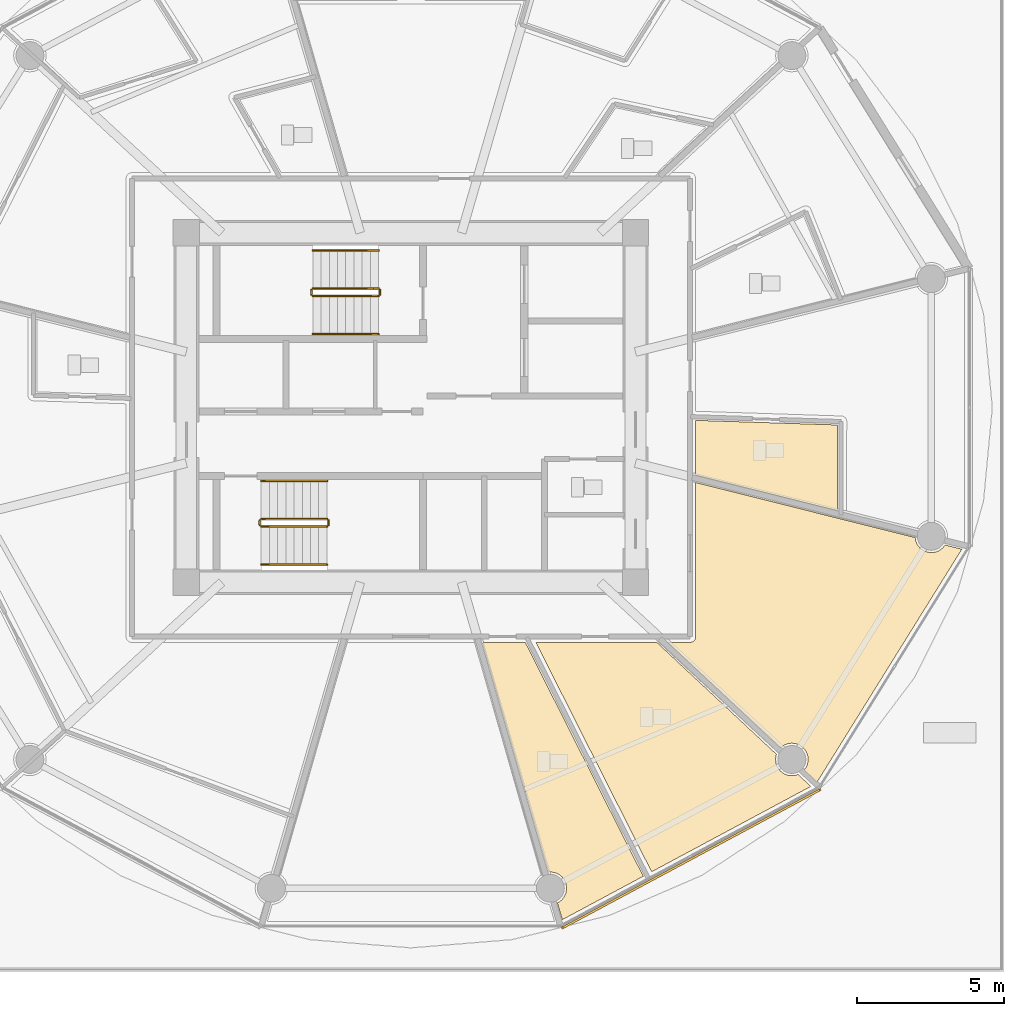
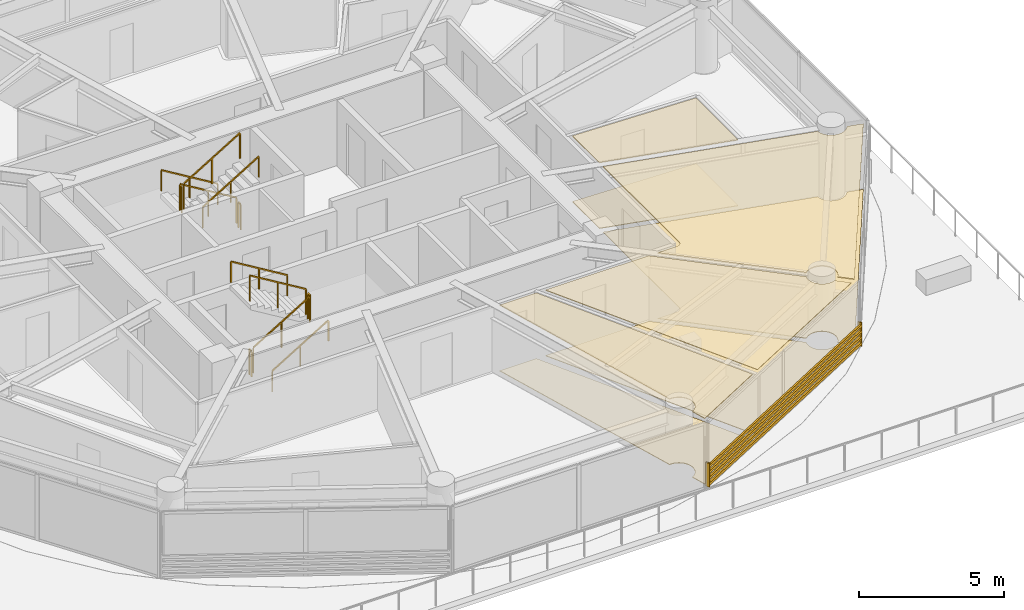
# One storey, part 28 of 32: 12 railings, 8 coverings, 1 shading device.
"""IFC4 building model written with IfcOpenShell, lengths in metres."""

from ifc_helpers import new_model, si_unit, direction, frame, origin, origin_2d, place, context, subcontext, project, spatial, polyline, rectangle, outline, extrude, source, transform, mapped, material, layer, layer_set, type_object, type_shapes, element, save


model = new_model("IFC4")

# Units and contexts
model_context = context("Model", 3, precision=1e-05, world=origin(), true_north=direction((0.0, 1.0)))
body_context = subcontext(model_context, "Body", "Model", "MODEL_VIEW")
ifc_project = project(units=[si_unit("LENGTHUNIT", "METRE"), si_unit("AREAUNIT", "SQUARE_METRE"), si_unit("VOLUMEUNIT", "CUBIC_METRE"), si_unit("PLANEANGLEUNIT", "RADIAN"), si_unit("MASSUNIT", "GRAM", prefix="KILO")], contexts=[model_context])

# Site, building, storey
site_placement = place(None, origin())
site = spatial("IfcSite", under=ifc_project, at=site_placement, CompositionType="ELEMENT")
building_placement = place(site_placement, origin())
building = spatial("IfcBuilding", under=site, at=building_placement, Name="Norrkilde Senior Care Towers", CompositionType="ELEMENT")
storey_placement = place(building_placement, frame((0.0, 0.0, 21.60009765625)))
storey = spatial("IfcBuildingStorey", under=building, at=storey_placement, Name="L05", CompositionType="ELEMENT", Elevation=21.60009765625)

# Coverings
ifc_material_1 = material(Name="Nordic Ash Timber", Category="wood")
ifc_layer_1 = layer(ifc_material_1, 0.044921875)
ifc_layer_set_1 = layer_set([ifc_layer_1], Name="Nordic Ash Timber")
covering_type_1 = type_object("IfcCoveringType", Name="Acoustic Ash Timber Slatted Ceiling 45", PredefinedType="CEILING", material=ifc_layer_set_1)
covering_1_placement = place(storey_placement, frame((0.0, 0.0, 2.744873046875)))
element("IfcCovering", 1, at=covering_1_placement, inside=storey, type_object=covering_type_1, Name="L05 Suspended Ceiling 0156", PredefinedType="CEILING", context=body_context, shape_type="SweptSolid", body=[
    extrude(outline(polyline([(37.552490234375, -7.992919921875), (37.563720703125, -7.989501953125), (37.571044921875, -7.98681640625), (37.58203125, -7.982421875), (37.589111328125, -7.97900390625), (37.599365234375, -7.973388671875), (37.606201171875, -7.969482421875), (37.615966796875, -7.962890625), (37.622314453125, -7.958251953125), (37.63134765625, -7.95068359375), (37.63720703125, -7.945556640625), (37.6455078125, -7.937255859375), (37.65087890625, -7.931396484375), (37.658203125, -7.92236328125), (37.662841796875, -7.916015625), (37.66943359375, -7.90625), (37.673583984375, -7.8994140625), (37.678955078125, -7.888916015625), (37.682373046875, -7.8818359375), (37.68701171875, -7.87109375), (37.689453125, -7.86376953125), (37.69287109375, -7.852294921875), (37.69482421875, -7.8447265625), (37.697265625, -7.833251953125), (37.6982421875, -7.825439453125), (37.699462890625, -7.813720703125), (37.699951171875, -7.805908203125), (37.699951171875, -7.800048828125), (37.699951171875, -2.5546875), (45.175048828125, -4.427978515625), (45.188720703125, -4.530517578125), (45.244140625, -4.66455078125), (45.332275390625, -4.779541015625), (45.447265625, -4.86767578125), (45.5810546875, -4.923095703125), (45.724853515625, -4.94189453125), (45.868408203125, -4.923095703125), (46.002197265625, -4.86767578125), (46.1171875, -4.779541015625), (46.19140625, -4.6826171875), (46.763916015625, -4.826171875), (41.826904296875, -12.76806640625), (41.38525390625, -12.35498046875), (41.4560546875, -12.262939453125), (41.511474609375, -12.129150390625), (41.530517578125, -11.9853515625), (41.511474609375, -11.841796875), (41.4560546875, -11.7080078125), (41.367919921875, -11.593017578125), (41.2529296875, -11.5048828125), (41.119140625, -11.449462890625), (40.975341796875, -11.430419921875), (40.831787109375, -11.449462890625), (40.697998046875, -11.5048828125), (40.5830078125, -11.593017578125), (40.577880859375, -11.599853515625), (36.72900390625, -8.0), (37.5, -8.0), (37.505859375, -7.999755859375), (37.513671875, -7.99951171875), (37.525390625, -7.998291015625), (37.533203125, -7.9970703125), (37.544677734375, -7.994873046875), (37.552490234375, -7.992919921875)])), origin(), (0.0, 0.0, 1.0), 0.044921875),
])
ifc_material_2 = material(Name="Gypsum Acoustic Board")
ifc_layer_2 = layer(ifc_material_2, 0.030029296875)
ifc_layer_set_2 = layer_set([ifc_layer_2], Name="Gypsum Acoustic Board")
covering_type_2 = type_object("IfcCoveringType", Name="Medical Cleanable Gypsum Ceiling 30", PredefinedType="CEILING", material=ifc_layer_set_2)
covering_2_placement = place(storey_placement, frame((0.0, 0.0, 2.760009765625)))
element("IfcCovering", 2, at=covering_2_placement, inside=storey, type_object=covering_type_2, Name="L05 Suspended Ceiling 0154", PredefinedType="CEILING", context=body_context, shape_type="SweptSolid", body=[
    extrude(outline(polyline([(32.991455078125, -16.86767578125), (33.02685546875, -16.85302734375), (33.141845703125, -16.764892578125), (33.22998046875, -16.64990234375), (33.285400390625, -16.51611328125), (33.304443359375, -16.37255859375), (33.285400390625, -16.228759765625), (33.22998046875, -16.094970703125), (33.141845703125, -15.97998046875), (33.02685546875, -15.891845703125), (32.89306640625, -15.83642578125), (32.749267578125, -15.8173828125), (32.690673828125, -15.8251953125), (30.432373046875, -8.0), (31.897216796875, -8.0), (35.915283203125, -15.9638671875), (33.1572265625, -17.442626953125), (32.991455078125, -16.86767578125)])), origin(), (0.0, 0.0, 1.0), 0.02978515625),
])
covering_3_placement = place(storey_placement, frame((0.0, 0.0, 2.760009765625)))
element("IfcCovering", 3, at=covering_3_placement, inside=storey, type_object=covering_type_2, Name="L05 Suspended Ceiling 0155", PredefinedType="CEILING", context=body_context, shape_type="SweptSolid", body=[
    extrude(outline(polyline([(36.197509765625, -15.8125), (32.255615234375, -8.0), (36.377685546875, -8.0), (40.4521484375, -11.810791015625), (40.439208984375, -11.841796875), (40.42041015625, -11.9853515625), (40.439208984375, -12.129150390625), (40.494873046875, -12.262939453125), (40.5830078125, -12.3779296875), (40.697998046875, -12.466064453125), (40.831787109375, -12.521484375), (40.975341796875, -12.54052734375), (41.119140625, -12.521484375), (41.183349609375, -12.494873046875), (41.62109375, -12.904296875), (36.197509765625, -15.8125)])), origin(), (0.0, 0.0, 1.0), 0.02978515625),
])
covering_4_placement = place(storey_placement, frame((0.0, 0.0, 2.760009765625)))
element("IfcCovering", 4, at=covering_4_placement, inside=storey, type_object=covering_type_2, Name="L05 Suspended Ceiling 0158", PredefinedType="CEILING", context=body_context, shape_type="SweptSolid", body=[
    extrude(outline(polyline([(42.5283203125, -3.511474609375), (37.699951171875, -2.30322265625), (37.699951171875, -0.436279296875), (42.53466796875, -0.593994140625), (42.5283203125, -3.511474609375)])), origin(), (0.0, 0.0, 1.0), 0.02978515625),
])
ifc_material_3 = material(Name="Slip-Resistant Porcelain Stone", Category="masonry")
ifc_layer_3 = layer(ifc_material_3, 0.02490234375)
ifc_layer_set_3 = layer_set([ifc_layer_3], Name="Slip-Resistant Porcelain Stone")
covering_type_3 = type_object("IfcCoveringType", Name="Slip-Resistant Porcelain Flooring 25", PredefinedType="FLOORING", material=ifc_layer_set_3)
covering_5_placement = place(storey_placement, origin())
element("IfcCovering", 5, at=covering_5_placement, inside=storey, type_object=covering_type_3, Name="L05 Floor Finish 0154", PredefinedType="FLOORING", context=body_context, shape_type="SweptSolid", body=[
    extrude(outline(polyline([(32.991455078125, -16.86767578125), (33.02685546875, -16.85302734375), (33.141845703125, -16.764892578125), (33.22998046875, -16.64990234375), (33.285400390625, -16.51611328125), (33.304443359375, -16.37255859375), (33.285400390625, -16.228759765625), (33.22998046875, -16.094970703125), (33.141845703125, -15.97998046875), (33.02685546875, -15.891845703125), (32.89306640625, -15.83642578125), (32.749267578125, -15.8173828125), (32.690673828125, -15.8251953125), (30.432373046875, -8.0), (31.897216796875, -8.0), (35.915283203125, -15.9638671875), (33.1572265625, -17.442626953125), (32.991455078125, -16.86767578125)])), origin(), (0.0, 0.0, 1.0), 0.02490234375),
])
covering_6_placement = place(storey_placement, origin())
element("IfcCovering", 6, at=covering_6_placement, inside=storey, type_object=covering_type_3, Name="L05 Floor Finish 0155", PredefinedType="FLOORING", context=body_context, shape_type="SweptSolid", body=[
    extrude(outline(polyline([(36.197509765625, -15.8125), (32.255615234375, -8.0), (36.377685546875, -8.0), (40.4521484375, -11.810791015625), (40.439208984375, -11.841796875), (40.42041015625, -11.9853515625), (40.439208984375, -12.129150390625), (40.494873046875, -12.262939453125), (40.5830078125, -12.3779296875), (40.697998046875, -12.466064453125), (40.831787109375, -12.521484375), (40.975341796875, -12.54052734375), (41.119140625, -12.521484375), (41.183349609375, -12.494873046875), (41.62109375, -12.904296875), (36.197509765625, -15.8125)])), origin(), (0.0, 0.0, 1.0), 0.02490234375),
])
covering_7_placement = place(storey_placement, origin())
element("IfcCovering", 7, at=covering_7_placement, inside=storey, type_object=covering_type_3, Name="L05 Floor Finish 0156", PredefinedType="FLOORING", context=body_context, shape_type="SweptSolid", body=[
    extrude(outline(polyline([(37.552490234375, -7.992919921875), (37.563720703125, -7.989501953125), (37.571044921875, -7.98681640625), (37.58203125, -7.982421875), (37.589111328125, -7.97900390625), (37.599365234375, -7.973388671875), (37.606201171875, -7.969482421875), (37.615966796875, -7.962890625), (37.622314453125, -7.958251953125), (37.63134765625, -7.95068359375), (37.63720703125, -7.945556640625), (37.6455078125, -7.937255859375), (37.65087890625, -7.931396484375), (37.658203125, -7.92236328125), (37.662841796875, -7.916015625), (37.66943359375, -7.90625), (37.673583984375, -7.8994140625), (37.678955078125, -7.888916015625), (37.682373046875, -7.8818359375), (37.68701171875, -7.87109375), (37.689453125, -7.86376953125), (37.69287109375, -7.852294921875), (37.69482421875, -7.8447265625), (37.697265625, -7.833251953125), (37.6982421875, -7.825439453125), (37.699462890625, -7.813720703125), (37.699951171875, -7.805908203125), (37.699951171875, -7.800048828125), (37.699951171875, -2.5546875), (45.175048828125, -4.427978515625), (45.188720703125, -4.530517578125), (45.244140625, -4.66455078125), (45.332275390625, -4.779541015625), (45.447265625, -4.86767578125), (45.5810546875, -4.923095703125), (45.724853515625, -4.94189453125), (45.868408203125, -4.923095703125), (46.002197265625, -4.86767578125), (46.1171875, -4.779541015625), (46.19140625, -4.6826171875), (46.763916015625, -4.826171875), (41.826904296875, -12.76806640625), (41.38525390625, -12.35498046875), (41.4560546875, -12.262939453125), (41.511474609375, -12.129150390625), (41.530517578125, -11.9853515625), (41.511474609375, -11.841796875), (41.4560546875, -11.7080078125), (41.367919921875, -11.593017578125), (41.2529296875, -11.5048828125), (41.119140625, -11.449462890625), (40.975341796875, -11.430419921875), (40.831787109375, -11.449462890625), (40.697998046875, -11.5048828125), (40.5830078125, -11.593017578125), (40.577880859375, -11.599853515625), (36.72900390625, -8.0), (37.5, -8.0), (37.505859375, -7.999755859375), (37.513671875, -7.99951171875), (37.525390625, -7.998291015625), (37.533203125, -7.9970703125), (37.544677734375, -7.994873046875), (37.552490234375, -7.992919921875)])), origin(), (0.0, 0.0, 1.0), 0.02490234375),
])
covering_8_placement = place(storey_placement, origin())
element("IfcCovering", 8, at=covering_8_placement, inside=storey, type_object=covering_type_3, Name="L05 Floor Finish 0158", PredefinedType="FLOORING", context=body_context, shape_type="SweptSolid", body=[
    extrude(outline(polyline([(42.5283203125, -3.511474609375), (37.699951171875, -2.30322265625), (37.699951171875, -0.436279296875), (42.53466796875, -0.593994140625), (42.5283203125, -3.511474609375)])), origin(), (0.0, 0.0, 1.0), 0.02490234375),
])

# Railings
ifc_material_4 = material(Name="Stainless Steel", Category="steel")
railing_type_1 = type_object("IfcRailingType", Name="Stair and Terrace Guardrail 1100", PredefinedType="GUARDRAIL", material=ifc_material_4)
railing_1_placement = place(storey_placement, frame((26.89990234375, 4.050048828125, 0.16943359375)))
element("IfcRailing", 9, at=railing_1_placement, inside=storey, type_object=railing_type_1, Name="L05 ST-E1 stair guard 1", PredefinedType="GUARDRAIL", context=body_context, shape_type="SweptSolid", body=[
    extrude(rectangle(XDim=0.048095703125, YDim=0.048095703125, at=origin_2d()), frame((0.0, 0.0, 1.076171875), z_axis=(-0.855553338991, 0.0, 0.51771467445), x_axis=(0.0, -1.0, 0.0)), (0.0, 0.0, 1.0), 2.6181640625),
    extrude(rectangle(XDim=0.0419921875, YDim=0.0419921875, at=origin_2d()), origin(), (0.0, 0.0, 1.0), 1.050048828125),
    extrude(rectangle(XDim=0.0419921875, YDim=0.0419921875, at=origin_2d()), frame((-1.1201171875, 0.0, 0.677734375)), (0.0, 0.0, 1.0), 1.050048828125),
    extrude(rectangle(XDim=0.0419921875, YDim=0.0419921875, at=origin_2d()), frame((-2.239990234375, 0.0, 1.35546875)), (0.0, 0.0, 1.0), 1.050048828125),
])
railing_2_placement = place(storey_placement, frame((24.610107421875, 4.0, 1.52490234375)))
element("IfcRailing", 10, at=railing_2_placement, inside=storey, type_object=railing_type_1, Name="L05 ST-E1 stair guard 2", PredefinedType="GUARDRAIL", context=body_context, shape_type="SweptSolid", body=[
    extrude(rectangle(XDim=0.048095703125, YDim=0.048095703125, at=origin_2d()), frame((0.0, 0.0, 1.076171875), z_axis=(0.0, -1.0, 0.0), x_axis=(1.0, 0.0, 0.0)), (0.0, 0.0, 1.0), 0.14990234375),
    extrude(rectangle(XDim=0.0419921875, YDim=0.0419921875, at=origin_2d()), origin(), (0.0, 0.0, 1.0), 1.050048828125),
    extrude(rectangle(XDim=0.0419921875, YDim=0.0419921875, at=origin_2d()), frame((0.0, -0.14990234375, 0.0)), (0.0, 0.0, 1.0), 1.050048828125),
])
railing_3_placement = place(storey_placement, frame((24.659912109375, 3.800048828125, 1.6943359375)))
element("IfcRailing", 11, at=railing_3_placement, inside=storey, type_object=railing_type_1, Name="L05 ST-E1 stair guard 3", PredefinedType="GUARDRAIL", context=body_context, shape_type="SweptSolid", body=[
    extrude(rectangle(XDim=0.048095703125, YDim=0.048095703125, at=origin_2d()), frame((0.0, 0.0, 1.076171875), z_axis=(0.855553338991, 0.0, 0.51771467445), x_axis=(0.0, 1.0, 0.0)), (0.0, 0.0, 1.0), 2.6181640625),
    extrude(rectangle(XDim=0.0419921875, YDim=0.0419921875, at=origin_2d()), origin(), (0.0, 0.0, 1.0), 1.050048828125),
    extrude(rectangle(XDim=0.0419921875, YDim=0.0419921875, at=origin_2d()), frame((1.1201171875, 0.0, 0.677734375)), (0.0, 0.0, 1.0), 1.050048828125),
    extrude(rectangle(XDim=0.0419921875, YDim=0.0419921875, at=origin_2d()), frame((2.239990234375, 0.0, 1.35546875)), (0.0, 0.0, 1.0), 1.050048828125),
])
railing_4_placement = place(storey_placement, frame((26.949951171875, 4.0, 0.0)))
element("IfcRailing", 12, at=railing_4_placement, inside=storey, type_object=railing_type_1, Name="L05 ST-E1 stair guard 4", PredefinedType="GUARDRAIL", context=body_context, shape_type="SweptSolid", body=[
    extrude(rectangle(XDim=0.048095703125, YDim=0.048095703125, at=origin_2d()), frame((0.0, 0.0, 1.076171875), z_axis=(0.0, -1.0, 0.0), x_axis=(1.0, 0.0, 0.0)), (0.0, 0.0, 1.0), 0.14990234375),
    extrude(rectangle(XDim=0.0419921875, YDim=0.0419921875, at=origin_2d()), origin(), (0.0, 0.0, 1.0), 1.050048828125),
    extrude(rectangle(XDim=0.0419921875, YDim=0.0419921875, at=origin_2d()), frame((0.0, -0.14990234375, 0.0)), (0.0, 0.0, 1.0), 1.050048828125),
])
railing_5_placement = place(storey_placement, frame((22.89990234375, -4.050048828125, 0.16943359375)))
element("IfcRailing", 13, at=railing_5_placement, inside=storey, type_object=railing_type_1, Name="L05 ST-E2 stair guard 1", PredefinedType="GUARDRAIL", context=body_context, shape_type="SweptSolid", body=[
    extrude(rectangle(XDim=0.048095703125, YDim=0.048095703125, at=origin_2d()), frame((0.0, 0.0, 1.076171875), z_axis=(0.855553338991, 0.0, 0.51771467445), x_axis=(0.0, 1.0, 0.0)), (0.0, 0.0, 1.0), 2.6181640625),
    extrude(rectangle(XDim=0.0419921875, YDim=0.0419921875, at=origin_2d()), origin(), (0.0, 0.0, 1.0), 1.050048828125),
    extrude(rectangle(XDim=0.0419921875, YDim=0.0419921875, at=origin_2d()), frame((1.1201171875, 0.0, 0.677734375)), (0.0, 0.0, 1.0), 1.050048828125),
    extrude(rectangle(XDim=0.0419921875, YDim=0.0419921875, at=origin_2d()), frame((2.239990234375, 0.0, 1.35546875)), (0.0, 0.0, 1.0), 1.050048828125),
])
railing_6_placement = place(storey_placement, frame((25.18994140625, -4.0, 1.52490234375)))
element("IfcRailing", 14, at=railing_6_placement, inside=storey, type_object=railing_type_1, Name="L05 ST-E2 stair guard 2", PredefinedType="GUARDRAIL", context=body_context, shape_type="SweptSolid", body=[
    extrude(rectangle(XDim=0.048095703125, YDim=0.048095703125, at=origin_2d()), frame((0.0, 0.0, 1.076171875), z_axis=(0.0, 1.0, 0.0), x_axis=(-1.0, 0.0, 0.0)), (0.0, 0.0, 1.0), 0.14990234375),
    extrude(rectangle(XDim=0.0419921875, YDim=0.0419921875, at=origin_2d()), origin(), (0.0, 0.0, 1.0), 1.050048828125),
    extrude(rectangle(XDim=0.0419921875, YDim=0.0419921875, at=origin_2d()), frame((0.0, 0.14990234375, 0.0)), (0.0, 0.0, 1.0), 1.050048828125),
])
railing_7_placement = place(storey_placement, frame((25.139892578125, -3.800048828125, 1.6943359375)))
element("IfcRailing", 15, at=railing_7_placement, inside=storey, type_object=railing_type_1, Name="L05 ST-E2 stair guard 3", PredefinedType="GUARDRAIL", context=body_context, shape_type="SweptSolid", body=[
    extrude(rectangle(XDim=0.048095703125, YDim=0.048095703125, at=origin_2d()), frame((0.0, 0.0, 1.076171875), z_axis=(-0.855553338991, 0.0, 0.51771467445), x_axis=(0.0, -1.0, 0.0)), (0.0, 0.0, 1.0), 2.6181640625),
    extrude(rectangle(XDim=0.0419921875, YDim=0.0419921875, at=origin_2d()), origin(), (0.0, 0.0, 1.0), 1.050048828125),
    extrude(rectangle(XDim=0.0419921875, YDim=0.0419921875, at=origin_2d()), frame((-1.1201171875, 0.0, 0.677734375)), (0.0, 0.0, 1.0), 1.050048828125),
    extrude(rectangle(XDim=0.0419921875, YDim=0.0419921875, at=origin_2d()), frame((-2.239990234375, 0.0, 1.35546875)), (0.0, 0.0, 1.0), 1.050048828125),
])
railing_8_placement = place(storey_placement, frame((22.85009765625, -4.0, 0.0)))
element("IfcRailing", 16, at=railing_8_placement, inside=storey, type_object=railing_type_1, Name="L05 ST-E2 stair guard 4", PredefinedType="GUARDRAIL", context=body_context, shape_type="SweptSolid", body=[
    extrude(rectangle(XDim=0.048095703125, YDim=0.048095703125, at=origin_2d()), frame((0.0, 0.0, 1.076171875), z_axis=(0.0, 1.0, 0.0), x_axis=(-1.0, 0.0, 0.0)), (0.0, 0.0, 1.0), 0.14990234375),
    extrude(rectangle(XDim=0.0419921875, YDim=0.0419921875, at=origin_2d()), origin(), (0.0, 0.0, 1.0), 1.050048828125),
    extrude(rectangle(XDim=0.0419921875, YDim=0.0419921875, at=origin_2d()), frame((0.0, 0.14990234375, 0.0)), (0.0, 0.0, 1.0), 1.050048828125),
])
railing_type_2 = type_object("IfcRailingType", Name="Wall and Stair Handrail 900", PredefinedType="HANDRAIL", material=ifc_material_1)
railing_9_placement = place(storey_placement, frame((26.89990234375, 5.35009765625, 0.16943359375)))
element("IfcRailing", 17, at=railing_9_placement, inside=storey, type_object=railing_type_2, Name="L05 ST-E1 stair handrail 1", PredefinedType="HANDRAIL", context=body_context, shape_type="SweptSolid", body=[
    extrude(rectangle(XDim=0.048095703125, YDim=0.048095703125, at=origin_2d()), frame((0.0, 0.0, 0.8759765625), z_axis=(-0.855553338991, 0.0, 0.51771467445), x_axis=(0.0, -1.0, 0.0)), (0.0, 0.0, 1.0), 2.6181640625),
    extrude(rectangle(XDim=0.0419921875, YDim=0.0419921875, at=origin_2d()), origin(), (0.0, 0.0, 1.0), 0.849853515625),
    extrude(rectangle(XDim=0.0419921875, YDim=0.0419921875, at=origin_2d()), frame((-1.1201171875, 0.0, 0.677734375)), (0.0, 0.0, 1.0), 0.849853515625),
    extrude(rectangle(XDim=0.0419921875, YDim=0.0419921875, at=origin_2d()), frame((-2.239990234375, 0.0, 1.35546875)), (0.0, 0.0, 1.0), 0.849853515625),
])
for number, where, name in (
    (18, (24.659912109375, 2.5, 1.6943359375), "L05 ST-E1 stair handrail 2"),
    (19, (22.89990234375, -5.35009765625, 0.16943359375), "L05 ST-E2 stair handrail 1"),
):
    element("IfcRailing", number, at=place(storey_placement, frame(where)), inside=storey, type_object=railing_type_2, Name=name, PredefinedType="HANDRAIL", context=body_context, shape_type="SweptSolid", body=[
        extrude(rectangle(XDim=0.048095703125, YDim=0.048095703125, at=origin_2d()), frame((0.0, 0.0, 0.8759765625), z_axis=(0.855553338991, 0.0, 0.51771467445), x_axis=(0.0, 1.0, 0.0)), (0.0, 0.0, 1.0), 2.6181640625),
        extrude(rectangle(XDim=0.0419921875, YDim=0.0419921875, at=origin_2d()), origin(), (0.0, 0.0, 1.0), 0.849853515625),
        extrude(rectangle(XDim=0.0419921875, YDim=0.0419921875, at=origin_2d()), frame((1.1201171875, 0.0, 0.677734375)), (0.0, 0.0, 1.0), 0.849853515625),
        extrude(rectangle(XDim=0.0419921875, YDim=0.0419921875, at=origin_2d()), frame((2.239990234375, 0.0, 1.35546875)), (0.0, 0.0, 1.0), 0.849853515625),
    ])
railing_10_placement = place(storey_placement, frame((25.139892578125, -2.5, 1.6943359375)))
element("IfcRailing", 20, at=railing_10_placement, inside=storey, type_object=railing_type_2, Name="L05 ST-E2 stair handrail 2", PredefinedType="HANDRAIL", context=body_context, shape_type="SweptSolid", body=[
    extrude(rectangle(XDim=0.048095703125, YDim=0.048095703125, at=origin_2d()), frame((0.0, 0.0, 0.8759765625), z_axis=(-0.855553338991, 0.0, 0.51771467445), x_axis=(0.0, -1.0, 0.0)), (0.0, 0.0, 1.0), 2.6181640625),
    extrude(rectangle(XDim=0.0419921875, YDim=0.0419921875, at=origin_2d()), origin(), (0.0, 0.0, 1.0), 0.849853515625),
    extrude(rectangle(XDim=0.0419921875, YDim=0.0419921875, at=origin_2d()), frame((-1.1201171875, 0.0, 0.677734375)), (0.0, 0.0, 1.0), 0.849853515625),
    extrude(rectangle(XDim=0.0419921875, YDim=0.0419921875, at=origin_2d()), frame((-2.239990234375, 0.0, 1.35546875)), (0.0, 0.0, 1.0), 0.849853515625),
])

# Shading device
ifc_material_5 = material(Name="Architectural Terracotta", Category="masonry")
shading_device_type = type_object("IfcShadingDeviceType", Name="Horizontal Terracotta Baguette Rack", PredefinedType="USERDEFINED", material=ifc_material_5)
shared_shape = source(origin(), body_context, "Body", "SweptSolid", [
    extrude(rectangle(XDim=0.070068359375, YDim=0.110107421875, at=origin_2d()), frame((0.0, 0.090087890625, 0.125), z_axis=(1.0, 0.0, 0.0), x_axis=(0.0, 1.0, 0.0)), (0.0, 0.0, 1.0), 10.0107421875),
    extrude(rectangle(XDim=0.070068359375, YDim=0.110107421875, at=origin_2d()), frame((0.0, 0.090087890625, 0.375), z_axis=(1.0, 0.0, 0.0), x_axis=(0.0, 1.0, 0.0)), (0.0, 0.0, 1.0), 10.0107421875),
    extrude(rectangle(XDim=0.070068359375, YDim=0.110107421875, at=origin_2d()), frame((0.0, 0.090087890625, 0.625), z_axis=(1.0, 0.0, 0.0), x_axis=(0.0, 1.0, 0.0)), (0.0, 0.0, 1.0), 10.0107421875),
    extrude(rectangle(XDim=0.070068359375, YDim=0.110107421875, at=origin_2d()), frame((0.0, 0.090087890625, 0.875), z_axis=(1.0, 0.0, 0.0), x_axis=(0.0, 1.0, 0.0)), (0.0, 0.0, 1.0), 10.0107421875),
    extrude(rectangle(XDim=0.050048828125, YDim=0.1552734375, at=origin_2d()), frame((0.02490234375, 0.047607421875, 0.0)), (0.0, 0.0, 1.0), 1.0),
    extrude(rectangle(XDim=0.050048828125, YDim=0.1552734375, at=origin_2d()), frame((9.98583984375, 0.047607421875, 0.0)), (0.0, 0.0, 1.0), 1.0),
])
type_shapes(shading_device_type, [shared_shape])
shading_device_placement = place(storey_placement, frame((41.915771484375, -12.926025390625, 0.079833984375), z_axis=(0.0, 0.0, 1.0), x_axis=(-0.881279875134, -0.472612428056, 0.0)))
element("IfcShadingDevice", 21, at=shading_device_placement, inside=storey, type_object=shading_device_type, Name="L05 Drum E Terracotta Baguette Screen 09", ObjectType="BAGUETTE", PredefinedType="USERDEFINED", context=body_context, shape_type="MappedRepresentation", body=[
    mapped(shared_shape, transform((0.0, 0.0, 0.0), x_axis=(1.0, 0.0, 0.0), y_axis=(0.0, 1.0, 0.0), z_axis=(0.0, 0.0, 1.0), scale=1.0)),
])

save(model, "model.ifc")
